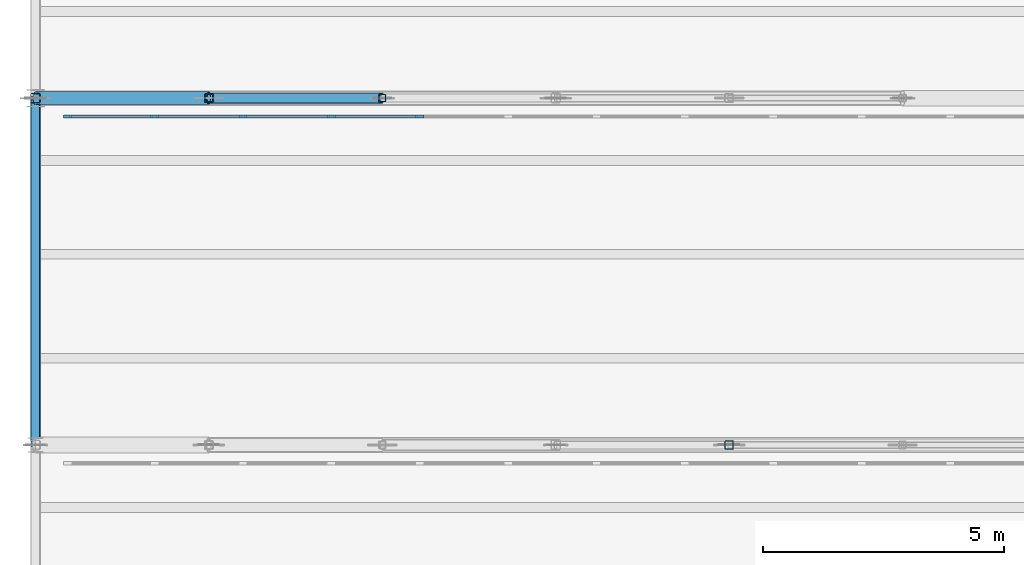
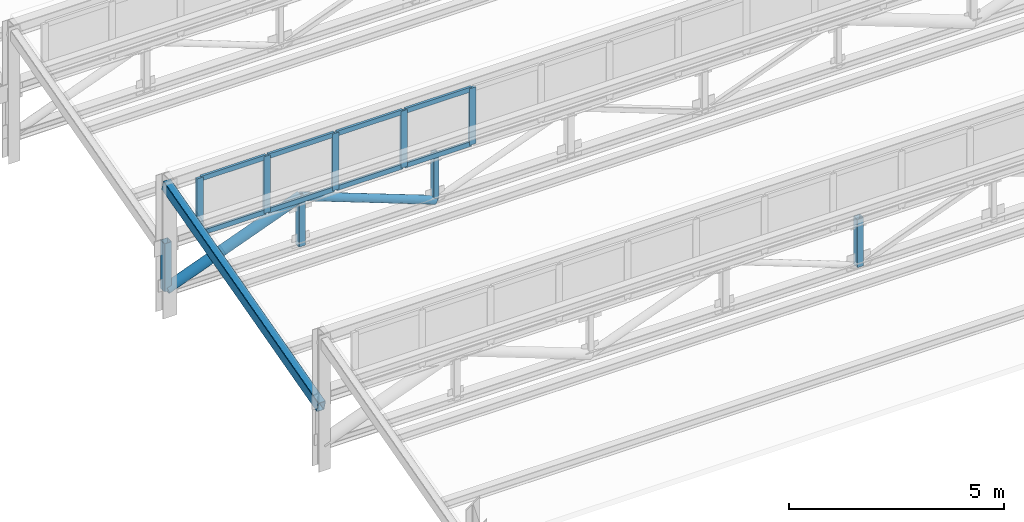
# One storey, part 9 of 98: 19 members, 1 beam, 1 element without a shape of its own.
"""IFC4 building model written with IfcOpenShell, lengths in metres."""

import ifcopenshell
import ifcopenshell.guid

model = None  # the IFC model being written
_history = None  # IfcOwnerHistory: only IFC2X3 demands one
_inside = {}  # id of a spatial element -> (the spatial element, [elements in it])
_under = {}  # id of a project, library or spatial element -> (it, [spatial elements below it])
_declared = {}  # id of a project -> (the project, [libraries it declares])
_typed = {}  # id of a type object -> (the type object, [elements of that type])
_made_of = {}  # id of a material, layer set ... -> (it, [elements and type objects made of it])


def new_model(schema):
    """Start an empty IFC model of exactly this schema.

    Asked for "IFC4X3", IfcOpenShell would pick the latest addendum, in which some entities
    have other attributes; the version numbers below select the first issue.
    IFC2X3 requires an IfcOwnerHistory on every rooted entity: one is made here for all.
    """
    global model, _history
    if schema == "IFC4X3":
        model = ifcopenshell.file(schema_version=(4, 3, 0, 0))
    else:
        model = ifcopenshell.file(schema=schema)
    _inside.clear()
    _under.clear()
    _declared.clear()
    _typed.clear()
    _made_of.clear()
    _history = None
    if model.schema == "IFC2X3":
        org = make("IfcOrganization", Name="unknown")
        user = make(
            "IfcPersonAndOrganization",
            ThePerson=make("IfcPerson", FamilyName="unknown"),
            TheOrganization=org,
        )
        app = make(
            "IfcApplication",
            ApplicationDeveloper=org,
            Version="unknown",
            ApplicationFullName="unknown",
            ApplicationIdentifier="unknown",
        )
        _history = make(
            "IfcOwnerHistory",
            OwningUser=user,
            OwningApplication=app,
            ChangeAction="ADDED",
            CreationDate=0,
        )
    return model


def make(cls, **values):
    """One entity of the class cls with the attributes given. An attribute that is None is left unset."""
    return model.create_entity(
        cls, **{name: value for name, value in values.items() if value is not None}
    )


def rooted(cls, **values):
    """An entity with a GlobalId (a new one), such as an element, a storey or a relation."""
    return make(cls, GlobalId=ifcopenshell.guid.new(), OwnerHistory=_history, **values)


def si_unit(unit_type, name, prefix=None):
    """IfcSIUnit, for example si_unit("LENGTHUNIT", "METRE", prefix="MILLI")."""
    return make("IfcSIUnit", UnitType=unit_type, Prefix=prefix, Name=name)


def assignment(units):
    """IfcUnitAssignment: the units of a project."""
    return None if units is None else make("IfcUnitAssignment", Units=units)


def point(xyz):
    """IfcCartesianPoint."""
    return None if xyz is None else make("IfcCartesianPoint", Coordinates=xyz)


def direction(xyz):
    """IfcDirection."""
    return None if xyz is None else make("IfcDirection", DirectionRatios=xyz)


def frame(location, z_axis=None, x_axis=None):
    """IfcAxis2Placement3D, a coordinate frame: its origin and axes. An axis left out is left unset."""
    return make(
        "IfcAxis2Placement3D",
        Location=point(location),
        Axis=direction(z_axis),
        RefDirection=direction(x_axis),
    )


def frame_2d(location, x_axis=None):
    """IfcAxis2Placement2D, a coordinate frame in the plane: its origin and x axis."""
    return make(
        "IfcAxis2Placement2D", Location=point(location), RefDirection=direction(x_axis)
    )


def origin():
    """The frame at (0, 0, 0) with its axes left unset."""
    return frame((0.0, 0.0, 0.0))


def origin_2d():
    """The frame at (0, 0) in the plane with its x axis left unset."""
    return frame_2d((0.0, 0.0))


def place(relative_to, where):
    """IfcLocalPlacement: puts the frame where relative to a parent placement (None: the world)."""
    return make(
        "IfcLocalPlacement", PlacementRelTo=relative_to, RelativePlacement=where
    )


def context(
    kind, dimensions, precision=None, world=None, true_north=None, identifier=None
):
    """IfcGeometricRepresentationContext, for example the 3D "Model" context."""
    return make(
        "IfcGeometricRepresentationContext",
        ContextIdentifier=identifier,
        ContextType=kind,
        CoordinateSpaceDimension=dimensions,
        Precision=precision,
        WorldCoordinateSystem=world,
        TrueNorth=true_north,
    )


def subcontext(parent, identifier, kind, view, scale=None):
    """IfcGeometricRepresentationSubContext, for example "Body" below "Model"."""
    return make(
        "IfcGeometricRepresentationSubContext",
        ContextIdentifier=identifier,
        ContextType=kind,
        ParentContext=parent,
        TargetScale=scale,
        TargetView=view,
    )


def project(units=None, contexts=None):
    """IfcProject with its units and contexts."""
    return rooted(
        "IfcProject",
        Name="project",
        RepresentationContexts=contexts,
        UnitsInContext=assignment(units),
    )


def spatial(cls, under=None, at=None, **own):
    """A site, building, storey or space (cls), placed at a placement, below another one or the project."""
    s = rooted(cls, ObjectPlacement=at, **own)
    if under is not None:
        _under.setdefault(under.id(), (under, []))[1].append(s)
    return s


def profile(cls, at=None, kind="AREA", **sizes):
    """A parametric profile (cls). Its sizes go by their IFC names, for example OverallWidth=200.0."""
    return make(cls, ProfileType=kind, Position=at, **sizes)


def rectangle(**sizes):
    """IfcRectangleProfileDef."""
    return profile("IfcRectangleProfileDef", **sizes)


def hollow_rectangle(**sizes):
    """IfcRectangleHollowProfileDef."""
    return profile("IfcRectangleHollowProfileDef", **sizes)


def hollow_circle(**sizes):
    """IfcCircleHollowProfileDef."""
    return profile("IfcCircleHollowProfileDef", **sizes)


def extrude(swept, where, along, depth):
    """IfcExtrudedAreaSolid: the profile swept, set in the frame where, extruded along a direction by depth."""
    return make(
        "IfcExtrudedAreaSolid",
        SweptArea=swept,
        Position=where,
        ExtrudedDirection=direction(along),
        Depth=depth,
    )


def shape(context_of_items, identifier, shape_type, items):
    """IfcShapeRepresentation: the items that make up one representation, for example the "Body"."""
    return make(
        "IfcShapeRepresentation",
        ContextOfItems=context_of_items,
        RepresentationIdentifier=identifier,
        RepresentationType=shape_type,
        Items=items,
    )


def material(Name=None, Category=None):
    """IfcMaterial."""
    return make("IfcMaterial", Name=Name, Category=Category)


def layer(
    of_material, thickness, ventilated=None, Name=None, Category=None, Priority=None
):
    """IfcMaterialLayer: one layer of a wall or slab, of a material (None: an air gap)."""
    return make(
        "IfcMaterialLayer",
        Material=of_material,
        LayerThickness=thickness,
        IsVentilated=ventilated,
        Name=Name,
        Category=Category,
        Priority=Priority,
    )


def layer_set(layers, Name=None):
    """IfcMaterialLayerSet."""
    return make("IfcMaterialLayerSet", MaterialLayers=layers, LayerSetName=Name)


def material_profile(
    of_material, cross_section, Name=None, Category=None, Priority=None
):
    """IfcMaterialProfile: a cross section and its material."""
    return make(
        "IfcMaterialProfile",
        Name=Name,
        Material=of_material,
        Profile=cross_section,
        Priority=Priority,
        Category=Category,
    )


def profile_set(profiles, Name=None, composite=None):
    """IfcMaterialProfileSet."""
    return make(
        "IfcMaterialProfileSet",
        Name=Name,
        MaterialProfiles=profiles,
        CompositeProfile=composite,
    )


def made_of(thing, what):
    """Note that an element or type object is made of a material, layer set ...; save() writes the relation."""
    if what is not None:
        _made_of.setdefault(what.id(), (what, []))[1].append(thing)
    return thing


def type_object(cls, material=None, **own):
    """A type object (cls), such as IfcWallType, which elements share."""
    return made_of(rooted(cls, **own), material)


def element(
    cls,
    number,
    at=None,
    inside=None,
    cuts=None,
    type_object=None,
    material=None,
    context=None,
    identifier="Body",
    shape_type=None,
    held_by="IfcProductDefinitionShape",
    body=None,
    shapes=None,
    **own,
):
    """One element of the class cls, such as IfcWall. Its Tag is "e" and its number.

    at: its placement. inside: the storey or other place that contains it. cuts: it is an
    opening in that element (IfcRelVoidsElement). A single representation is given by context,
    identifier, shape_type and body (its items); several are given by shapes. held_by: the class
    of the entity that holds the representations. save() writes the other relations.
    """
    e = rooted(cls, Tag="e%d" % number, ObjectPlacement=at, **own)
    if body is not None:
        shapes = [shape(context, identifier, shape_type, body)]
    if shapes is not None:
        e.Representation = make(held_by, Representations=shapes)
    if inside is not None:
        _inside.setdefault(inside.id(), (inside, []))[1].append(e)
    if cuts is not None:
        rooted(
            "IfcRelVoidsElement", RelatingBuildingElement=cuts, RelatedOpeningElement=e
        )
    if type_object is not None:
        _typed.setdefault(type_object.id(), (type_object, []))[1].append(e)
    return made_of(e, material)


def aggregate(whole, parts):
    """IfcRelAggregates: a whole, such as a stair, and the parts it consists of."""
    return rooted("IfcRelAggregates", RelatingObject=whole, RelatedObjects=parts)


def save(model, path):
    """Write the relations noted so far, then the file.

    IfcRelAggregates (storeys below a building ...), IfcRelContainedInSpatialStructure (elements
    in a storey), IfcRelDefinesByType, IfcRelAssociatesMaterial and IfcRelDeclares: one each for
    every whole, place, type object, material and project.
    """
    for whole, parts in _under.values():
        aggregate(whole, parts)
    for where, things in _inside.values():
        rooted(
            "IfcRelContainedInSpatialStructure",
            RelatedElements=things,
            RelatingStructure=where,
        )
    for kind, things in _typed.values():
        rooted("IfcRelDefinesByType", RelatedObjects=things, RelatingType=kind)
    for what, things in _made_of.values():
        rooted("IfcRelAssociatesMaterial", RelatedObjects=things, RelatingMaterial=what)
    for by, libraries in _declared.values():
        rooted("IfcRelDeclares", RelatingContext=by, RelatedDefinitions=libraries)
    model.write(path)


model = new_model("IFC4")

# Units and contexts
model_context = context("Model", 3, precision=1e-05, world=origin(), true_north=direction((0.0, 1.0)))
body_context = subcontext(model_context, "Body", "Model", "MODEL_VIEW")
ifc_project = project(units=[si_unit("LENGTHUNIT", "METRE"), si_unit("AREAUNIT", "SQUARE_METRE"), si_unit("VOLUMEUNIT", "CUBIC_METRE"), si_unit("PLANEANGLEUNIT", "RADIAN"), si_unit("MASSUNIT", "GRAM", prefix="KILO")], contexts=[model_context])

# Site, building, storey
site_placement = place(None, origin())
site = spatial("IfcSite", under=ifc_project, at=site_placement, CompositionType="ELEMENT")
building_placement = place(site_placement, origin())
building = spatial("IfcBuilding", under=site, at=building_placement, Name="Solenvale Faculty of Natural Sciences", CompositionType="ELEMENT")
storey_placement = place(building_placement, frame((0.0, 0.0, 9.0)))
storey = spatial("IfcBuildingStorey", under=building, at=storey_placement, Name="L02", CompositionType="ELEMENT", Elevation=9.0)

# Beam
ifc_material_1 = material(Name="Steel S355", Category="steel")
ifc_material_profile_1 = material_profile(ifc_material_1, hollow_rectangle(XDim=0.202880859375, YDim=0.304931640625, WallThickness=0.0126953125, InnerFilletRadius=0.0126953125, OuterFilletRadius=0.025390625, at=origin_2d()), Name="HSS305x203x13")
ifc_profile_set_1 = profile_set([ifc_material_profile_1], Name="Steel S355")
beam_type = type_object("IfcBeamType", Name="BM-RAF-HSS305", PredefinedType="BEAM", material=ifc_profile_set_1)
beam_placement = place(storey_placement, frame((0.0, 7.199951171875, 1.719970703125), z_axis=(0.0, 0.965901991803, 0.258907980238), x_axis=(-1.0, 0.0, 0.0)))
element("IfcBeam", 1, at=beam_placement, inside=storey, type_object=beam_type, Name="V1 Sawtooth End Rafter 2.1.W", PredefinedType="BEAM", context=body_context, shape_type="SweptSolid", body=[
    extrude(hollow_rectangle(XDim=0.202880859375, YDim=0.304931640625, WallThickness=0.0126953125, InnerFilletRadius=0.0126953125, OuterFilletRadius=0.025390625, at=origin_2d()), origin(), (0.0, 0.0, 1.0), 7.4541015625),
])

# Curtain wall, members
ifc_material_2 = material(Name="Anodised bronze aluminium", Category="aluminium")
ifc_layer = layer(ifc_material_2, 0.1650390625)
ifc_layer_set = layer_set([ifc_layer], Name="Anodised bronze aluminium")
curtain_wall_type = type_object("IfcCurtainWallType", Name="CW-SAW-CLR", PredefinedType="USERDEFINED", material=ifc_layer_set)
curtain_wall_placement = place(storey_placement, origin())
curtain_wall = element("IfcCurtainWall", 2, at=curtain_wall_placement, inside=storey, type_object=curtain_wall_type, Name="L02 Curtain Wall SAW-V1-CW-2-1", ObjectType="NORTH LIGHT CLERESTORY", PredefinedType="USERDEFINED")
ifc_material_profile_2 = material_profile(ifc_material_2, rectangle(XDim=0.06494140625, YDim=0.175048828125, at=origin_2d()), Name="ALU-MUL-65x175")
ifc_profile_set_2 = profile_set([ifc_material_profile_2], Name="Anodised bronze aluminium")
member_type_1 = type_object("IfcMemberType", Name="CWM-ALU-65x175", PredefinedType="MULLION", material=ifc_profile_set_2)
member_1_placement = place(storey_placement, frame((7.978759765625, 14.02001953125, 2.22998046875), z_axis=(0.0, 0.0, 1.0), x_axis=(0.0, -1.0, 0.0)))
member_1 = element("IfcMember", 3, at=member_1_placement, type_object=member_type_1, Name="CW-05 mullion 12", PredefinedType="MULLION", context=body_context, shape_type="SweptSolid", body=[
    extrude(rectangle(XDim=0.06494140625, YDim=0.175048828125, at=origin_2d()), origin(), (0.0, 0.0, 1.0), 1.610107421875),
])
member_2_placement = place(storey_placement, frame((6.14404296875, 14.02001953125, 2.22998046875), z_axis=(0.0, 0.0, 1.0), x_axis=(0.0, -1.0, 0.0)))
member_2 = element("IfcMember", 4, at=member_2_placement, type_object=member_type_1, Name="CW-05 mullion 13", PredefinedType="MULLION", context=body_context, shape_type="SweptSolid", body=[
    extrude(rectangle(XDim=0.06494140625, YDim=0.175048828125, at=origin_2d()), origin(), (0.0, 0.0, 1.0), 1.610107421875),
])
member_3_placement = place(storey_placement, frame((4.309326171875, 14.02001953125, 2.22998046875), z_axis=(0.0, 0.0, 1.0), x_axis=(0.0, -1.0, 0.0)))
member_3 = element("IfcMember", 5, at=member_3_placement, type_object=member_type_1, Name="CW-05 mullion 14", PredefinedType="MULLION", context=body_context, shape_type="SweptSolid", body=[
    extrude(rectangle(XDim=0.06494140625, YDim=0.175048828125, at=origin_2d()), origin(), (0.0, 0.0, 1.0), 1.610107421875),
])
member_4_placement = place(storey_placement, frame((2.474609375, 14.02001953125, 2.22998046875), z_axis=(0.0, 0.0, 1.0), x_axis=(0.0, -1.0, 0.0)))
member_4 = element("IfcMember", 6, at=member_4_placement, type_object=member_type_1, Name="CW-05 mullion 15", PredefinedType="MULLION", context=body_context, shape_type="SweptSolid", body=[
    extrude(rectangle(XDim=0.06494140625, YDim=0.175048828125, at=origin_2d()), origin(), (0.0, 0.0, 1.0), 1.610107421875),
])
member_5_placement = place(storey_placement, frame((0.672607421875, 14.02001953125, 2.22998046875), z_axis=(0.0, 0.0, 1.0), x_axis=(0.0, -1.0, 0.0)))
member_5 = element("IfcMember", 7, at=member_5_placement, type_object=member_type_1, Name="CW-05 mullion 16", PredefinedType="MULLION", context=body_context, shape_type="SweptSolid", body=[
    extrude(rectangle(XDim=0.06494140625, YDim=0.175048828125, at=origin_2d()), origin(), (0.0, 0.0, 1.0), 1.610107421875),
])
ifc_material_profile_3 = material_profile(ifc_material_2, rectangle(XDim=0.06494140625, YDim=0.135009765625, at=origin_2d()), Name="ALU-TRN-65x135")
ifc_profile_set_3 = profile_set([ifc_material_profile_3], Name="Anodised bronze aluminium")
member_type_2 = type_object("IfcMemberType", Name="CWT-ALU-65x135", PredefinedType="USERDEFINED", material=ifc_profile_set_3)
member_6_placement = place(storey_placement, frame((7.946044921875, 14.02001953125, 2.262451171875), z_axis=(-1.0, 0.0, 0.0), x_axis=(0.0, -1.0, 0.0)))
member_6 = element("IfcMember", 8, at=member_6_placement, type_object=member_type_2, Name="CW-05 transom 12.1", ObjectType="TRANSOM", PredefinedType="USERDEFINED", context=body_context, shape_type="SweptSolid", body=[
    extrude(rectangle(XDim=0.06494140625, YDim=0.135009765625, at=origin_2d()), origin(), (0.0, 0.0, 1.0), 1.76953125),
])
member_7_placement = place(storey_placement, frame((7.946044921875, 14.02001953125, 3.8076171875), z_axis=(-1.0, 0.0, 0.0), x_axis=(0.0, -1.0, 0.0)))
member_7 = element("IfcMember", 9, at=member_7_placement, type_object=member_type_2, Name="CW-05 transom 12.2", ObjectType="TRANSOM", PredefinedType="USERDEFINED", context=body_context, shape_type="SweptSolid", body=[
    extrude(rectangle(XDim=0.06494140625, YDim=0.135009765625, at=origin_2d()), origin(), (0.0, 0.0, 1.0), 1.76953125),
])
member_8_placement = place(storey_placement, frame((6.111572265625, 14.02001953125, 2.262451171875), z_axis=(-1.0, 0.0, 0.0), x_axis=(0.0, -1.0, 0.0)))
member_8 = element("IfcMember", 10, at=member_8_placement, type_object=member_type_2, Name="CW-05 transom 13.1", ObjectType="TRANSOM", PredefinedType="USERDEFINED", context=body_context, shape_type="SweptSolid", body=[
    extrude(rectangle(XDim=0.06494140625, YDim=0.135009765625, at=origin_2d()), origin(), (0.0, 0.0, 1.0), 1.769775390625),
])
member_9_placement = place(storey_placement, frame((6.111572265625, 14.02001953125, 3.8076171875), z_axis=(-1.0, 0.0, 0.0), x_axis=(0.0, -1.0, 0.0)))
member_9 = element("IfcMember", 11, at=member_9_placement, type_object=member_type_2, Name="CW-05 transom 13.2", ObjectType="TRANSOM", PredefinedType="USERDEFINED", context=body_context, shape_type="SweptSolid", body=[
    extrude(rectangle(XDim=0.06494140625, YDim=0.135009765625, at=origin_2d()), origin(), (0.0, 0.0, 1.0), 1.769775390625),
])
member_10_placement = place(storey_placement, frame((4.27685546875, 14.02001953125, 2.262451171875), z_axis=(-1.0, 0.0, 0.0), x_axis=(0.0, -1.0, 0.0)))
member_10 = element("IfcMember", 12, at=member_10_placement, type_object=member_type_2, Name="CW-05 transom 14.1", ObjectType="TRANSOM", PredefinedType="USERDEFINED", context=body_context, shape_type="SweptSolid", body=[
    extrude(rectangle(XDim=0.06494140625, YDim=0.135009765625, at=origin_2d()), origin(), (0.0, 0.0, 1.0), 1.769775390625),
])
member_11_placement = place(storey_placement, frame((4.27685546875, 14.02001953125, 3.8076171875), z_axis=(-1.0, 0.0, 0.0), x_axis=(0.0, -1.0, 0.0)))
member_11 = element("IfcMember", 13, at=member_11_placement, type_object=member_type_2, Name="CW-05 transom 14.2", ObjectType="TRANSOM", PredefinedType="USERDEFINED", context=body_context, shape_type="SweptSolid", body=[
    extrude(rectangle(XDim=0.06494140625, YDim=0.135009765625, at=origin_2d()), origin(), (0.0, 0.0, 1.0), 1.769775390625),
])
member_12_placement = place(storey_placement, frame((2.442138671875, 14.02001953125, 2.262451171875), z_axis=(-1.0, 0.0, 0.0), x_axis=(0.0, -1.0, 0.0)))
member_12 = element("IfcMember", 14, at=member_12_placement, type_object=member_type_2, Name="CW-05 transom 15.1", ObjectType="TRANSOM", PredefinedType="USERDEFINED", context=body_context, shape_type="SweptSolid", body=[
    extrude(rectangle(XDim=0.06494140625, YDim=0.135009765625, at=origin_2d()), origin(), (0.0, 0.0, 1.0), 1.737060546875),
])
member_13_placement = place(storey_placement, frame((2.442138671875, 14.02001953125, 3.8076171875), z_axis=(-1.0, 0.0, 0.0), x_axis=(0.0, -1.0, 0.0)))
member_13 = element("IfcMember", 15, at=member_13_placement, type_object=member_type_2, Name="CW-05 transom 15.2", ObjectType="TRANSOM", PredefinedType="USERDEFINED", context=body_context, shape_type="SweptSolid", body=[
    extrude(rectangle(XDim=0.06494140625, YDim=0.135009765625, at=origin_2d()), origin(), (0.0, 0.0, 1.0), 1.737060546875),
])
aggregate(curtain_wall, [member_1, member_2, member_3, member_4, member_5, member_6, member_7, member_8, member_9, member_10, member_11, member_12, member_13])

# Members
ifc_material_profile_4 = material_profile(ifc_material_1, hollow_circle(Radius=0.109619140625, WallThickness=0.009521484375, at=origin_2d()), Name="HSS219x9.5")
ifc_profile_set_4 = profile_set([ifc_material_profile_4], Name="Steel S355")
member_type_3 = type_object("IfcMemberType", Name="MB-BRC-CHS219", PredefinedType="BRACE", material=ifc_profile_set_4)
member_14_placement = place(storey_placement, frame((3.60009765625, 14.39990234375, 2.050048828125), z_axis=(0.935458110384, 0.0, -0.353437581075), x_axis=(0.0, 1.0, 0.0)))
element("IfcMember", 16, at=member_14_placement, inside=storey, type_object=member_type_3, Name="V1 Truss 2.1 Diagonal 2", PredefinedType="BRACE", context=body_context, shape_type="SweptSolid", body=[
    extrude(hollow_circle(Radius=0.109619140625, WallThickness=0.009521484375, at=origin_2d()), origin(), (0.0, 0.0, 1.0), 3.84814453125),
])
ifc_material_profile_5 = material_profile(ifc_material_1, hollow_circle(Radius=0.136474609375, WallThickness=0.010986328125, at=origin_2d()), Name="HSS273x11")
ifc_profile_set_5 = profile_set([ifc_material_profile_5], Name="Steel S355")
member_type_4 = type_object("IfcMemberType", Name="MB-BRC-CHS273", PredefinedType="BRACE", material=ifc_profile_set_5)
member_15_placement = place(storey_placement, frame((0.0, 14.39990234375, 0.68994140625), z_axis=(0.935466034784, 0.0, 0.353416606522), x_axis=(0.0, 1.0, 0.0)))
element("IfcMember", 17, at=member_15_placement, inside=storey, type_object=member_type_4, Name="V1 Truss 2.1 Diagonal 1", PredefinedType="BRACE", context=body_context, shape_type="SweptSolid", body=[
    extrude(hollow_circle(Radius=0.136474609375, WallThickness=0.010986328125, at=origin_2d()), origin(), (0.0, 0.0, 1.0), 3.848388671875),
])
ifc_material_profile_6 = material_profile(ifc_material_1, hollow_rectangle(XDim=0.152099609375, YDim=0.152099609375, WallThickness=0.009521484375, InnerFilletRadius=0.009521484375, OuterFilletRadius=0.01904296875, at=origin_2d()), Name="HSS152x152x9.5")
ifc_profile_set_6 = profile_set([ifc_material_profile_6], Name="Steel S355")
member_type_5 = type_object("IfcMemberType", Name="MB-STR-HSS152", PredefinedType="STRUT", material=ifc_profile_set_6)
member_16_placement = place(storey_placement, frame((7.199951171875, 14.39990234375, 0.68994140625), z_axis=(0.0, 0.0, 1.0), x_axis=(1.0, 0.0, 0.0)))
element("IfcMember", 18, at=member_16_placement, inside=storey, type_object=member_type_5, Name="V1 Truss 2.1 Strut 2", PredefinedType="STRUT", context=body_context, shape_type="SweptSolid", body=[
    extrude(hollow_rectangle(XDim=0.152099609375, YDim=0.152099609375, WallThickness=0.009521484375, InnerFilletRadius=0.009521484375, OuterFilletRadius=0.01904296875, at=origin_2d()), origin(), (0.0, 0.0, 1.0), 1.360107421875),
])
ifc_material_profile_7 = material_profile(ifc_material_1, hollow_rectangle(XDim=0.177978515625, YDim=0.177978515625, WallThickness=0.009521484375, InnerFilletRadius=0.009521484375, OuterFilletRadius=0.01904296875, at=origin_2d()), Name="HSS178x178x9.5")
ifc_profile_set_7 = profile_set([ifc_material_profile_7], Name="Steel S355")
member_type_6 = type_object("IfcMemberType", Name="MB-STR-HSS178", PredefinedType="STRUT", material=ifc_profile_set_7)
for number, where, z_axis, x_axis, name in (
    (19, (14.39990234375, 7.199951171875, 0.68994140625), (0.0, 0.0, 1.0), (1.0, 0.0, 0.0), "V1 Truss 1.1 Strut 4"),
    (20, (3.60009765625, 14.39990234375, 0.68994140625), (0.0, 0.0, 1.0), (1.0, 0.0, 0.0), "V1 Truss 2.1 Strut 1"),
):
    element("IfcMember", number, at=place(storey_placement, frame(where, z_axis=z_axis, x_axis=x_axis)), inside=storey, type_object=member_type_6, Name=name, PredefinedType="STRUT", context=body_context, shape_type="SweptSolid", body=[
        extrude(hollow_rectangle(XDim=0.177978515625, YDim=0.177978515625, WallThickness=0.009521484375, InnerFilletRadius=0.009521484375, OuterFilletRadius=0.01904296875, at=origin_2d()), origin(), (0.0, 0.0, 1.0), 1.360107421875),
    ])
ifc_material_profile_8 = material_profile(ifc_material_1, hollow_rectangle(XDim=0.202880859375, YDim=0.202880859375, WallThickness=0.0126953125, InnerFilletRadius=0.0126953125, OuterFilletRadius=0.025390625, at=origin_2d()), Name="HSS203x203x13")
ifc_profile_set_8 = profile_set([ifc_material_profile_8], Name="Steel S355")
member_type_7 = type_object("IfcMemberType", Name="MB-STR-HSS203", PredefinedType="STRUT", material=ifc_profile_set_8)
member_17_placement = place(storey_placement, frame((0.0, 14.39990234375, 0.68994140625), z_axis=(0.0, 0.0, 1.0), x_axis=(1.0, 0.0, 0.0)))
element("IfcMember", 21, at=member_17_placement, inside=storey, type_object=member_type_7, Name="V1 Truss 2.1 Strut 0", PredefinedType="STRUT", context=body_context, shape_type="SweptSolid", body=[
    extrude(hollow_rectangle(XDim=0.202880859375, YDim=0.202880859375, WallThickness=0.0126953125, InnerFilletRadius=0.0126953125, OuterFilletRadius=0.025390625, at=origin_2d()), origin(), (0.0, 0.0, 1.0), 1.360107421875),
])

save(model, "model.ifc")
